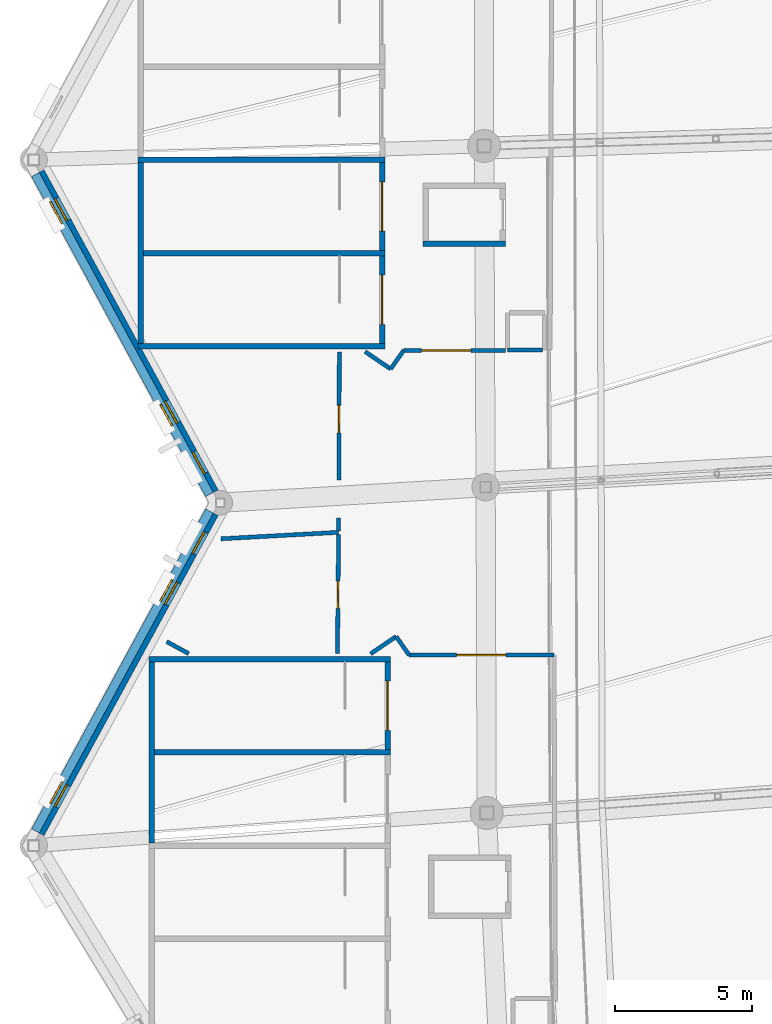
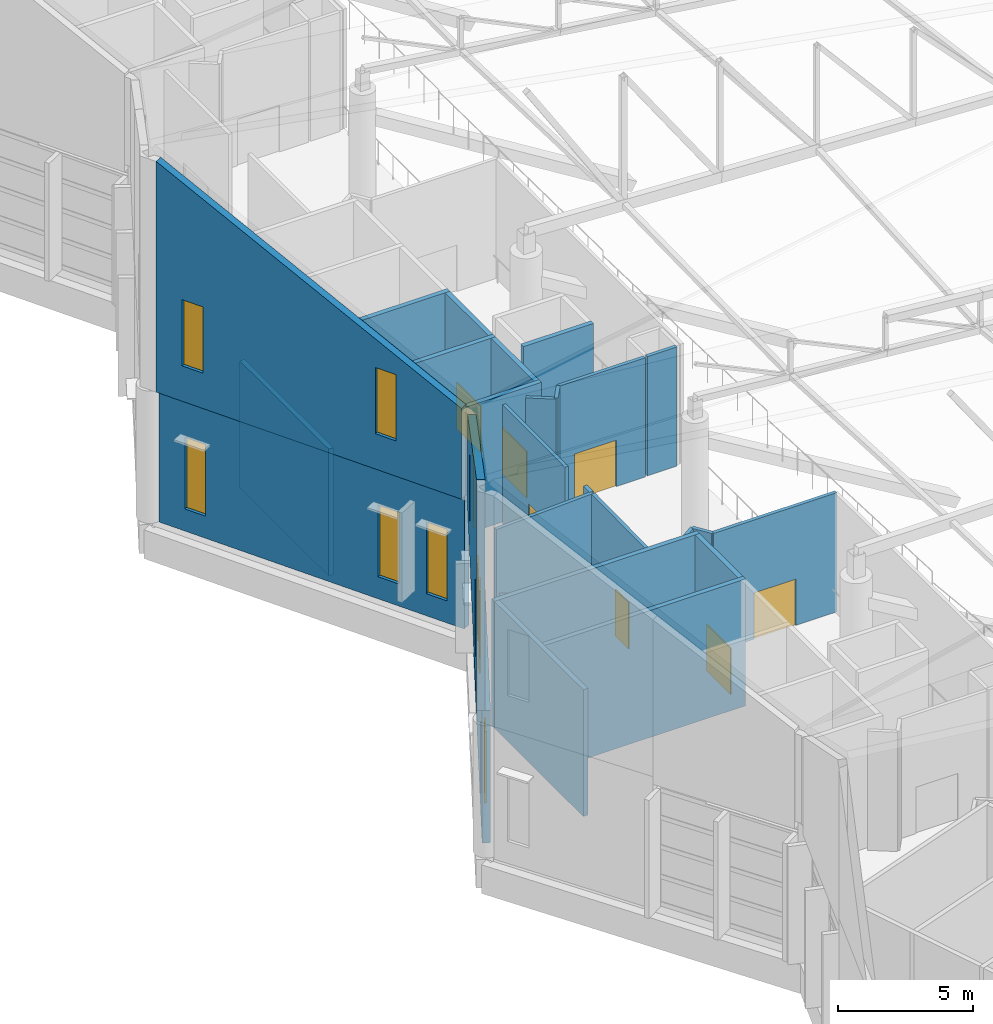
# One storey, part 250 of 344: 27 walls, 10 windows, 7 doors, 17 openings.
"""IFC4 building model written with IfcOpenShell, lengths in metres."""

from ifc_helpers import new_model, si_unit, direction, frame, frame_2d, origin, place, context, subcontext, project, spatial, polyline, rectangle, outline, extrude, material, layer, layer_set, type_object, element, fill, save


model = new_model("IFC4")

# Units and contexts
model_context = context("Model", 3, precision=1e-05, world=origin(), true_north=direction((0.0, 1.0)))
body_context = subcontext(model_context, "Body", "Model", "MODEL_VIEW")
ifc_project = project(units=[si_unit("LENGTHUNIT", "METRE"), si_unit("AREAUNIT", "SQUARE_METRE"), si_unit("VOLUMEUNIT", "CUBIC_METRE"), si_unit("PLANEANGLEUNIT", "RADIAN"), si_unit("MASSUNIT", "GRAM", prefix="KILO")], contexts=[model_context])

# Site, building, storey
site_placement = place(None, origin())
site = spatial("IfcSite", under=ifc_project, at=site_placement, CompositionType="ELEMENT")
building_placement = place(site_placement, origin())
building = spatial("IfcBuilding", under=site, at=building_placement, Name="Meseta Stadium", CompositionType="ELEMENT")
storey_placement = place(building_placement, frame((0.0, 0.0, 24.0)))
storey = spatial("IfcBuildingStorey", under=building, at=storey_placement, Name="L04", CompositionType="ELEMENT", Elevation=24.0)

# Walls
ifc_material_1 = material(Name="Concrete C40/50", Category="concrete")
ifc_layer_1 = layer(ifc_material_1, 0.199951171875)
ifc_layer_set_1 = layer_set([ifc_layer_1], Name="Core divider wall 200")
wall_type_1 = type_object("IfcWallType", Name="Core divider wall 200", PredefinedType="SHEAR", material=ifc_layer_set_1)
wall_1_placement = place(storey_placement, frame((-97.60009765625, -22.14990234375, 0.0), z_axis=(0.0, 0.0, 1.0), x_axis=(1.0, 0.0, 0.0)))
element("IfcWall", 1, at=wall_1_placement, inside=storey, type_object=wall_type_1, Name="Core 18 L04 stair B divider wall", PredefinedType="SHEAR", context=body_context, shape_type="SweptSolid", body=[
    extrude(rectangle(XDim=9.0, YDim=0.199951171875, at=frame_2d((4.5, 0.0))), origin(), (0.0, 0.0, 1.0), 5.75),
])
wall_2_placement = place(storey_placement, frame((-97.199951171875, -40.35009765625, 0.0), z_axis=(0.0, 0.0, 1.0), x_axis=(1.0, 0.0, 0.0)))
element("IfcWall", 2, at=wall_2_placement, inside=storey, type_object=wall_type_1, Name="Core 19 L04 stair A divider wall", PredefinedType="SHEAR", context=body_context, shape_type="SweptSolid", body=[
    extrude(rectangle(XDim=8.800048828125, YDim=0.199951171875, at=frame_2d((4.39990234375, 0.0))), origin(), (0.0, 0.0, 1.0), 5.75),
])
ifc_material_2 = material(Name="Concrete C40/50", Category="concrete")
ifc_layer_2 = layer(ifc_material_2, 0.199951171875)
ifc_layer_set_2 = layer_set([ifc_layer_2], Name="Core shaft wall 200")
wall_type_2 = type_object("IfcWallType", Name="Core shaft wall 200", PredefinedType="SHEAR", material=ifc_layer_set_2)
for number, where, z_axis, x_axis, name in (
    (3, (-97.60009765625, -18.75, 0.0), (0.0, 0.0, 1.0), (1.0, 0.0, 0.0), "Core 18 L04 stair wall shared"),
    (4, (-97.60009765625, -25.550048828125, 0.0), (0.0, 0.0, 1.0), (1.0, 0.0, 0.0), "Core 18 L04 stair wall B-side"),
):
    element("IfcWall", number, at=place(storey_placement, frame(where, z_axis=z_axis, x_axis=x_axis)), inside=storey, type_object=wall_type_2, Name=name, PredefinedType="SHEAR", context=body_context, shape_type="SweptSolid", body=[
        extrude(rectangle(XDim=9.0, YDim=0.199951171875, at=frame_2d((4.5, 0.0))), origin(), (0.0, 0.0, 1.0), 5.75),
    ])
wall_3_placement = place(storey_placement, frame((-97.5, -18.85009765625, 0.0), z_axis=(0.0, 0.0, 1.0), x_axis=(0.0, -1.0, 0.0)))
element("IfcWall", 5, at=wall_3_placement, inside=storey, type_object=wall_type_2, Name="Core 18 L04 stair B outer end wall", PredefinedType="SHEAR", context=body_context, shape_type="SweptSolid", body=[
    extrude(rectangle(XDim=6.599853515625, YDim=0.199951171875, at=frame_2d((3.2998046875, 0.0))), origin(), (0.0, 0.0, 1.0), 5.75),
])

# Wall, opening, door
wall_4_placement = place(storey_placement, frame((-88.699951171875, -18.85009765625, 0.0), z_axis=(0.0, 0.0, 1.0), x_axis=(0.0, -1.0, 0.0)))
wall_4 = element("IfcWall", 6, at=wall_4_placement, inside=storey, type_object=wall_type_2, Name="Core 18 L04 stair B1 inner end wall", PredefinedType="SHEAR", context=body_context, shape_type="SweptSolid", body=[
    extrude(rectangle(XDim=3.199951171875, YDim=0.199951171875, at=frame_2d((1.60009765625, 0.0))), origin(), (0.0, 0.0, 1.0), 5.75),
])
opening_1_placement = place(wall_4_placement, frame((0.699951171875, 0.0, 0.0)))
opening_1 = element("IfcOpeningElement", 7, at=opening_1_placement, cuts=wall_4, Name="Opening D1503", PredefinedType="OPENING", context=body_context, shape_type="SweptSolid", body=[
    extrude(rectangle(XDim=1.800048828125, YDim=2.10009765625, at=frame_2d((0.89990234375, 1.050048828125))), frame((0.0, 0.10986328125, 0.0), z_axis=(0.0, -1.0, 0.0), x_axis=(1.0, 0.0, 0.0)), (0.0, 0.0, 1.0), 0.219970703125),
])
ifc_material_3 = material(Name="Steel", Category="steel")
door_type_1 = type_object("IfcDoorType", Name="Stair door 1800x2100", OperationType="DOUBLE_DOOR_SINGLE_SWING", PredefinedType="DOOR", material=ifc_material_3)
door_1_placement = place(opening_1_placement, origin())
door_1 = element("IfcDoor", 8, at=door_1_placement, inside=storey, type_object=door_type_1, Name="Stair B1 door 18 L04", OperationType="DOUBLE_DOOR_SINGLE_SWING", OverallHeight=2.10009765625, OverallWidth=1.800048828125, PredefinedType="DOOR", context=body_context, shape_type="SweptSolid", body=[
    extrude(rectangle(XDim=1.800048828125, YDim=2.10009765625, at=frame_2d((0.89990234375, 1.050048828125))), frame((0.0, 0.02490234375, 0.0), z_axis=(0.0, -1.0, 0.0), x_axis=(1.0, 0.0, 0.0)), (0.0, 0.0, 1.0), 0.050048828125),
])
fill(opening_1, door_1)

wall_5_placement = place(storey_placement, frame((-88.699951171875, -22.25, 0.0), z_axis=(0.0, 0.0, 1.0), x_axis=(0.0, -1.0, 0.0)))
wall_5 = element("IfcWall", 9, at=wall_5_placement, inside=storey, type_object=wall_type_2, Name="Core 18 L04 stair B2 inner end wall", PredefinedType="SHEAR", context=body_context, shape_type="SweptSolid", body=[
    extrude(rectangle(XDim=3.199951171875, YDim=0.199951171875, at=frame_2d((1.60009765625, 0.0))), origin(), (0.0, 0.0, 1.0), 5.75),
])
opening_2_placement = place(wall_5_placement, frame((0.699951171875, 0.0, 0.0)))
opening_2 = element("IfcOpeningElement", 10, at=opening_2_placement, cuts=wall_5, Name="Opening D1502", PredefinedType="OPENING", context=body_context, shape_type="SweptSolid", body=[
    extrude(rectangle(XDim=1.800048828125, YDim=2.10009765625, at=frame_2d((0.89990234375, 1.050048828125))), frame((0.0, 0.10986328125, 0.0), z_axis=(0.0, -1.0, 0.0), x_axis=(1.0, 0.0, 0.0)), (0.0, 0.0, 1.0), 0.219970703125),
])
door_2_placement = place(opening_2_placement, origin())
door_2 = element("IfcDoor", 11, at=door_2_placement, inside=storey, type_object=door_type_1, Name="Stair B2 door 18 L04", OperationType="DOUBLE_DOOR_SINGLE_SWING", OverallHeight=2.10009765625, OverallWidth=1.800048828125, PredefinedType="DOOR", context=body_context, shape_type="SweptSolid", body=[
    extrude(rectangle(XDim=1.800048828125, YDim=2.10009765625, at=frame_2d((0.89990234375, 1.050048828125))), frame((0.0, 0.02490234375, 0.0), z_axis=(0.0, -1.0, 0.0), x_axis=(1.0, 0.0, 0.0)), (0.0, 0.0, 1.0), 0.050048828125),
])
fill(opening_2, door_2)

# Walls
wall_6_placement = place(storey_placement, frame((-87.199951171875, -21.800048828125, 0.0), z_axis=(0.0, 0.0, 1.0), x_axis=(1.0, 0.0, 0.0)))
element("IfcWall", 12, at=wall_6_placement, inside=storey, type_object=wall_type_2, Name="Core 18 L04 lift shaft wall right", PredefinedType="SHEAR", context=body_context, shape_type="SweptSolid", body=[
    extrude(rectangle(XDim=3.0, YDim=0.199951171875, at=frame_2d((1.5, 0.0))), origin(), (0.0, 0.0, 1.0), 4.60009765625),
])
wall_7_placement = place(storey_placement, frame((-97.199951171875, -36.949951171875, 0.0), z_axis=(0.0, 0.0, 1.0), x_axis=(1.0, 0.0, 0.0)))
element("IfcWall", 13, at=wall_7_placement, inside=storey, type_object=wall_type_2, Name="Core 19 L04 stair wall A-side", PredefinedType="SHEAR", context=body_context, shape_type="SweptSolid", body=[
    extrude(rectangle(XDim=8.800048828125, YDim=0.199951171875, at=frame_2d((4.39990234375, 0.0))), origin(), (0.0, 0.0, 1.0), 5.75),
])
wall_8_placement = place(storey_placement, frame((-97.10009765625, -37.050048828125, 0.0), z_axis=(0.0, 0.0, 1.0), x_axis=(0.0, -1.0, 0.0)))
element("IfcWall", 14, at=wall_8_placement, inside=storey, type_object=wall_type_2, Name="Core 19 L04 stair A outer end wall", PredefinedType="SHEAR", context=body_context, shape_type="SweptSolid", body=[
    extrude(rectangle(XDim=6.599853515625, YDim=0.199951171875, at=frame_2d((3.2998046875, 0.0))), origin(), (0.0, 0.0, 1.0), 5.75),
])

# Wall, opening, door
wall_9_placement = place(storey_placement, frame((-88.5, -37.050048828125, 0.0), z_axis=(0.0, 0.0, 1.0), x_axis=(0.0, -1.0, 0.0)))
wall_9 = element("IfcWall", 15, at=wall_9_placement, inside=storey, type_object=wall_type_2, Name="Core 19 L04 stair A1 inner end wall", PredefinedType="SHEAR", context=body_context, shape_type="SweptSolid", body=[
    extrude(rectangle(XDim=3.199951171875, YDim=0.199951171875, at=frame_2d((1.60009765625, 0.0))), origin(), (0.0, 0.0, 1.0), 5.75),
])
opening_3_placement = place(wall_9_placement, frame((0.699951171875, 0.0, 0.0)))
opening_3 = element("IfcOpeningElement", 16, at=opening_3_placement, cuts=wall_9, Name="Opening D1517", PredefinedType="OPENING", context=body_context, shape_type="SweptSolid", body=[
    extrude(rectangle(XDim=1.800048828125, YDim=2.10009765625, at=frame_2d((0.89990234375, 1.050048828125))), frame((0.0, 0.10986328125, 0.0), z_axis=(0.0, -1.0, 0.0), x_axis=(1.0, 0.0, 0.0)), (0.0, 0.0, 1.0), 0.219970703125),
])
door_3_placement = place(opening_3_placement, origin())
door_3 = element("IfcDoor", 17, at=door_3_placement, inside=storey, type_object=door_type_1, Name="Stair A1 door 19 L04", OperationType="DOUBLE_DOOR_SINGLE_SWING", OverallHeight=2.10009765625, OverallWidth=1.800048828125, PredefinedType="DOOR", context=body_context, shape_type="SweptSolid", body=[
    extrude(rectangle(XDim=1.800048828125, YDim=2.10009765625, at=frame_2d((0.89990234375, 1.050048828125))), frame((0.0, 0.02490234375, 0.0), z_axis=(0.0, -1.0, 0.0), x_axis=(1.0, 0.0, 0.0)), (0.0, 0.0, 1.0), 0.050048828125),
])
fill(opening_3, door_3)

# Walls
ifc_material_4 = material(Name="Masonry blockwork", Category="masonry")
ifc_layer_3 = layer(ifc_material_4, 0.14990234375)
ifc_layer_set_3 = layer_set([ifc_layer_3], Name="Partition 150")
wall_type_3 = type_object("IfcWallType", Name="Partition 150", PredefinedType="PARTITIONING", material=ifc_layer_set_3)
wall_10_placement = place(storey_placement, frame((-95.7490234375, -36.75, 0.0), z_axis=(0.0, 0.0, 1.0), x_axis=(-0.878487841863, 0.477764703279, 0.0)))
element("IfcWall", 18, at=wall_10_placement, inside=storey, type_object=wall_type_3, Name="Partition L04 L04-cell17-1-0a", PredefinedType="PARTITIONING", context=body_context, shape_type="SweptSolid", body=[
    extrude(rectangle(XDim=0.91259765625, YDim=0.14990234375, at=frame_2d((0.456298828125, 0.0))), origin(), (0.0, 0.0, 1.0), 5.39990234375),
])
wall_11_placement = place(storey_placement, frame((-94.568359375, -32.564208984375, 0.0), z_axis=(0.0, 0.0, 1.0), x_axis=(0.998498275679, 0.054783149469, 0.0)))
element("IfcWall", 19, at=wall_11_placement, inside=storey, type_object=wall_type_3, Name="Partition L04 L04-cell17-1-0a", PredefinedType="PARTITIONING", context=body_context, shape_type="SweptSolid", body=[
    extrude(rectangle(XDim=4.29150390625, YDim=0.14990234375, at=frame_2d((2.145751953125, 0.0))), origin(), (0.0, 0.0, 1.0), 5.39990234375),
])

# Wall, opening, door
wall_12_placement = place(storey_placement, frame((-90.283935546875, -32.404296875, 0.0), z_axis=(0.0, 0.0, 1.0), x_axis=(-0.009662470257, -0.999953317245, 0.0)))
wall_12 = element("IfcWall", 20, at=wall_12_placement, inside=storey, type_object=wall_type_3, Name="Partition L04 L04-cell17-1-0a", PredefinedType="PARTITIONING", context=body_context, shape_type="SweptSolid", body=[
    extrude(rectangle(XDim=4.345947265625, YDim=0.14990234375, at=frame_2d((2.1728515625, 0.0))), origin(), (0.0, 0.0, 1.0), 5.39990234375),
])
opening_4_placement = place(wall_12_placement, frame((1.699951171875, 0.0, 0.0)))
opening_4 = element("IfcOpeningElement", 21, at=opening_4_placement, cuts=wall_12, Name="Opening D1500", PredefinedType="OPENING", context=body_context, shape_type="SweptSolid", body=[
    extrude(rectangle(XDim=1.0, YDim=2.10009765625, at=frame_2d((0.5, 1.050048828125))), frame((0.0, 0.0849609375, 0.0), z_axis=(0.0, -1.0, 0.0), x_axis=(1.0, 0.0, 0.0)), (0.0, 0.0, 1.0), 0.169921875),
])
ifc_material_5 = material(Name="Timber", Category="wood")
door_type_2 = type_object("IfcDoorType", Name="Room door 1000x2100", OperationType="NOTDEFINED", PredefinedType="DOOR", material=ifc_material_5)
door_4_placement = place(opening_4_placement, origin())
door_4 = element("IfcDoor", 22, at=door_4_placement, inside=storey, type_object=door_type_2, Name="Room door L04 L04-cell17-1-0a", OperationType="SINGLE_SWING_RIGHT", OverallHeight=2.10009765625, OverallWidth=1.0, PredefinedType="DOOR", context=body_context, shape_type="SweptSolid", body=[
    extrude(rectangle(XDim=1.0, YDim=2.10009765625, at=frame_2d((0.5, 1.050048828125))), frame((0.0, 0.02490234375, 0.0), z_axis=(0.0, -1.0, 0.0), x_axis=(1.0, 0.0, 0.0)), (0.0, 0.0, 1.0), 0.050048828125),
])
fill(opening_4, door_4)

wall_13_placement = place(storey_placement, frame((-90.25634765625, -25.75, 0.0), z_axis=(0.0, 0.0, 1.0), x_axis=(-0.004030747762, -0.999991876503, 0.0)))
wall_13 = element("IfcWall", 23, at=wall_13_placement, inside=storey, type_object=wall_type_3, Name="Partition L04 L04-cell17-1-0w", PredefinedType="PARTITIONING", context=body_context, shape_type="SweptSolid", body=[
    extrude(rectangle(XDim=4.663818359375, YDim=0.14990234375, at=frame_2d((2.33203125, 0.0))), origin(), (0.0, 0.0, 1.0), 5.39990234375),
])
opening_5_placement = place(wall_13_placement, frame((1.949951171875, 0.0, 0.0)))
opening_5 = element("IfcOpeningElement", 24, at=opening_5_placement, cuts=wall_13, Name="Opening D1501", PredefinedType="OPENING", context=body_context, shape_type="SweptSolid", body=[
    extrude(rectangle(XDim=1.0, YDim=2.10009765625, at=frame_2d((0.5, 1.050048828125))), frame((0.0, 0.0849609375, 0.0), z_axis=(0.0, -1.0, 0.0), x_axis=(1.0, 0.0, 0.0)), (0.0, 0.0, 1.0), 0.169921875),
])
door_5_placement = place(opening_5_placement, origin())
door_5 = element("IfcDoor", 25, at=door_5_placement, inside=storey, type_object=door_type_2, Name="Room door L04 L04-cell17-1-0w", OperationType="SINGLE_SWING_RIGHT", OverallHeight=2.10009765625, OverallWidth=1.0, PredefinedType="DOOR", context=body_context, shape_type="SweptSolid", body=[
    extrude(rectangle(XDim=1.0, YDim=2.10009765625, at=frame_2d((0.5, 1.050048828125))), frame((0.0, 0.02490234375, 0.0), z_axis=(0.0, -1.0, 0.0), x_axis=(1.0, 0.0, 0.0)), (0.0, 0.0, 1.0), 0.050048828125),
])
fill(opening_5, door_5)

# Walls
wall_14_placement = place(storey_placement, frame((-90.28076171875, -31.81298828125, 0.0), z_axis=(0.0, 0.0, 1.0), x_axis=(-0.004188444936, -0.999991228426, 0.0)))
element("IfcWall", 26, at=wall_14_placement, inside=storey, type_object=wall_type_3, Name="Partition L04 L04-cell17-1-0w", PredefinedType="PARTITIONING", context=body_context, shape_type="SweptSolid", body=[
    extrude(rectangle(XDim=0.46630859375, YDim=0.14990234375, at=frame_2d((0.233154296875, 0.0))), origin(), (0.0, 0.0, 1.0), 5.39990234375),
])
wall_15_placement = place(storey_placement, frame((-84.125, -25.675048828125, 0.0), z_axis=(0.0, 0.0, 1.0), x_axis=(1.0, 0.0, 0.0)))
element("IfcWall", 27, at=wall_15_placement, inside=storey, type_object=wall_type_3, Name="Pressurisation shaft wall L04 core 18", PredefinedType="PARTITIONING", context=body_context, shape_type="SweptSolid", body=[
    extrude(rectangle(XDim=1.27490234375, YDim=0.14990234375, at=frame_2d((0.637451171875, 0.0))), origin(), (0.0, 0.0, 1.0), 5.39990234375),
])
wall_16_placement = place(storey_placement, frame((-89.319580078125, -25.739501953125, 0.0), z_axis=(0.0, 0.0, 1.0), x_axis=(0.827055308354, -0.562120553728, 0.0)))
element("IfcWall", 28, at=wall_16_placement, inside=storey, type_object=wall_type_3, Name="Stair vestibule wall L04 core 18", PredefinedType="PARTITIONING", context=body_context, shape_type="SweptSolid", body=[
    extrude(rectangle(XDim=1.1279296875, YDim=0.14990234375, at=frame_2d((0.56396484375, 0.0))), origin(), (0.0, 0.0, 1.0), 5.39990234375),
])
wall_17_placement = place(storey_placement, frame((-88.38671875, -26.37353515625, 0.0), z_axis=(0.0, 0.0, 1.0), x_axis=(0.575376756214, 0.817888493872, 0.0)))
element("IfcWall", 29, at=wall_17_placement, inside=storey, type_object=wall_type_3, Name="Stair vestibule wall L04 core 18", PredefinedType="PARTITIONING", context=body_context, shape_type="SweptSolid", body=[
    extrude(rectangle(XDim=0.82958984375, YDim=0.14990234375, at=frame_2d((0.414794921875, 0.0))), origin(), (0.0, 0.0, 1.0), 5.39990234375),
])

# Wall, opening, door
wall_18_placement = place(storey_placement, frame((-87.909423828125, -25.695068359375, 0.0), z_axis=(0.0, 0.0, 1.0), x_axis=(1.0, 0.0, 0.0)))
wall_18 = element("IfcWall", 30, at=wall_18_placement, inside=storey, type_object=wall_type_3, Name="Stair vestibule wall L04 core 18", PredefinedType="PARTITIONING", context=body_context, shape_type="SweptSolid", body=[
    extrude(rectangle(XDim=3.70361328125, YDim=0.14990234375, at=frame_2d((1.851806640625, 0.0))), origin(), (0.0, 0.0, 1.0), 5.39990234375),
])
opening_6_placement = place(wall_18_placement, frame((0.64990234375, 0.0, 0.0)))
opening_6 = element("IfcOpeningElement", 31, at=opening_6_placement, cuts=wall_18, Name="Opening D1524", PredefinedType="OPENING", context=body_context, shape_type="SweptSolid", body=[
    extrude(rectangle(XDim=1.800048828125, YDim=2.10009765625, at=frame_2d((0.89990234375, 1.050048828125))), frame((0.0, 0.0849609375, 0.0), z_axis=(0.0, -1.0, 0.0), x_axis=(1.0, 0.0, 0.0)), (0.0, 0.0, 1.0), 0.169921875),
])
ifc_material_6 = material(Name="Steel", Category="steel")
door_type_3 = type_object("IfcDoorType", Name="Fire double door 1800x2100 EI2 60", OperationType="DOUBLE_DOOR_SINGLE_SWING", PredefinedType="DOOR", material=ifc_material_6)
door_6_placement = place(opening_6_placement, origin())
door_6 = element("IfcDoor", 32, at=door_6_placement, inside=storey, type_object=door_type_3, Name="Stair vestibule door L04 core 18", OperationType="DOUBLE_DOOR_SINGLE_SWING", OverallHeight=2.10009765625, OverallWidth=1.800048828125, PredefinedType="DOOR", context=body_context, shape_type="SweptSolid", body=[
    extrude(rectangle(XDim=1.800048828125, YDim=2.10009765625, at=frame_2d((0.89990234375, 1.050048828125))), frame((0.0, 0.02490234375, 0.0), z_axis=(0.0, -1.0, 0.0), x_axis=(1.0, 0.0, 0.0)), (0.0, 0.0, 1.0), 0.050048828125),
])
fill(opening_6, door_6)

wall_19_placement = place(storey_placement, frame((-82.43359375, -36.804931640625, 0.0), z_axis=(0.0, 0.0, 1.0), x_axis=(-1.0, 0.0, 0.0)))
wall_19 = element("IfcWall", 33, at=wall_19_placement, inside=storey, type_object=wall_type_3, Name="Stair vestibule wall L04 core 19", PredefinedType="PARTITIONING", context=body_context, shape_type="SweptSolid", body=[
    extrude(rectangle(XDim=5.275634765625, YDim=0.14990234375, at=frame_2d((2.6376953125, 0.0))), origin(), (0.0, 0.0, 1.0), 5.39990234375),
])
opening_7_placement = place(wall_19_placement, frame((1.75, 0.0, 0.0)))
opening_7 = element("IfcOpeningElement", 34, at=opening_7_placement, cuts=wall_19, Name="Opening D1534", PredefinedType="OPENING", context=body_context, shape_type="SweptSolid", body=[
    extrude(rectangle(XDim=1.800048828125, YDim=2.10009765625, at=frame_2d((0.89990234375, 1.050048828125))), frame((0.0, 0.0849609375, 0.0), z_axis=(0.0, -1.0, 0.0), x_axis=(1.0, 0.0, 0.0)), (0.0, 0.0, 1.0), 0.169921875),
])
door_7_placement = place(opening_7_placement, origin())
door_7 = element("IfcDoor", 35, at=door_7_placement, inside=storey, type_object=door_type_3, Name="Stair vestibule door L04 core 19", OperationType="DOUBLE_DOOR_SINGLE_SWING", OverallHeight=2.10009765625, OverallWidth=1.800048828125, PredefinedType="DOOR", context=body_context, shape_type="SweptSolid", body=[
    extrude(rectangle(XDim=1.800048828125, YDim=2.10009765625, at=frame_2d((0.89990234375, 1.050048828125))), frame((0.0, 0.02490234375, 0.0), z_axis=(0.0, -1.0, 0.0), x_axis=(1.0, 0.0, 0.0)), (0.0, 0.0, 1.0), 0.050048828125),
])
fill(opening_7, door_7)

# Walls
wall_20_placement = place(storey_placement, frame((-87.709228515625, -36.804931640625, 0.0), z_axis=(0.0, 0.0, 1.0), x_axis=(-0.575573582652, 0.81774999294, 0.0)))
element("IfcWall", 36, at=wall_20_placement, inside=storey, type_object=wall_type_3, Name="Stair vestibule wall L04 core 19", PredefinedType="PARTITIONING", context=body_context, shape_type="SweptSolid", body=[
    extrude(rectangle(XDim=0.82958984375, YDim=0.14990234375, at=frame_2d((0.414794921875, 0.0))), origin(), (0.0, 0.0, 1.0), 5.39990234375),
])
wall_21_placement = place(storey_placement, frame((-88.186767578125, -36.12646484375, 0.0), z_axis=(0.0, 0.0, 1.0), x_axis=(-0.827055308354, -0.562120553728, 0.0)))
element("IfcWall", 37, at=wall_21_placement, inside=storey, type_object=wall_type_3, Name="Stair vestibule wall L04 core 19", PredefinedType="PARTITIONING", context=body_context, shape_type="SweptSolid", body=[
    extrude(rectangle(XDim=1.1279296875, YDim=0.14990234375, at=frame_2d((0.56396484375, 0.0))), origin(), (0.0, 0.0, 1.0), 5.39990234375),
])

# Wall, openings, windows
ifc_material_7 = material(Name="White precast concrete C40/50", Category="concrete")
ifc_layer_4 = layer(ifc_material_7, 0.320068359375)
ifc_layer_set_4 = layer_set([ifc_layer_4], Name="Pleated fascia panel 320 raked")
wall_type_4 = type_object("IfcWallType", Name="Pleated fascia panel 320 raked", PredefinedType="SOLIDWALL", material=ifc_layer_set_4)
wall_22_placement = place(storey_placement, frame((-94.99072265625, -30.950439453125, 6.0), z_axis=(0.0, 0.0, 1.0), x_axis=(-0.477867771117, 0.878431780691, 0.0)))
wall_22 = element("IfcWall", 38, at=wall_22_placement, inside=storey, type_object=wall_type_4, Name="Pleated fascia panel L04 F34", PredefinedType="SOLIDWALL", context=body_context, shape_type="SweptSolid", body=[
    extrude(outline(polyline([(0.0, 0.0), (13.2802734375, 0.0), (13.2802734375, 10.451171875), (0.0, 4.10498046875), (0.0, 0.0)])), frame((0.0, 0.16015625, 0.0), z_axis=(0.0, -1.0, 0.0), x_axis=(1.0, 0.0, 0.0)), (0.0, 0.0, 1.0), 0.320068359375),
])
opening_8_placement = place(wall_22_placement, frame((2.85009765625, 0.0, 1.60009765625)))
opening_8 = element("IfcOpeningElement", 39, at=opening_8_placement, cuts=wall_22, Name="Opening W201", PredefinedType="OPENING", context=body_context, shape_type="SweptSolid", body=[
    extrude(rectangle(XDim=0.89990234375, YDim=3.0, at=frame_2d((0.449951171875, 1.5))), frame((0.0, 0.169921875, 0.0), z_axis=(0.0, -1.0, 0.0), x_axis=(1.0, 0.0, 0.0)), (0.0, 0.0, 1.0), 0.340087890625),
])
opening_9_placement = place(wall_22_placement, frame((11.250244140625, 0.0, 1.60009765625)))
opening_9 = element("IfcOpeningElement", 40, at=opening_9_placement, cuts=wall_22, Name="Opening W181", PredefinedType="OPENING", context=body_context, shape_type="SweptSolid", body=[
    extrude(rectangle(XDim=0.89990234375, YDim=3.0, at=frame_2d((0.449951171875, 1.5))), frame((0.0, 0.169921875, 0.0), z_axis=(0.0, -1.0, 0.0), x_axis=(1.0, 0.0, 0.0)), (0.0, 0.0, 1.0), 0.340087890625),
])
ifc_material_8 = material(Name="Aluminium", Category="aluminium")
window_type_1 = type_object("IfcWindowType", Name="Slot window 900x3000", PartitioningType="SINGLE_PANEL", PredefinedType="WINDOW", material=ifc_material_8)
window_1_placement = place(opening_8_placement, origin())
window_1 = element("IfcWindow", 41, at=window_1_placement, inside=storey, type_object=window_type_1, Name="Slot window L04 F34.2", OverallHeight=3.0, OverallWidth=0.89990234375, PartitioningType="SINGLE_PANEL", PredefinedType="WINDOW", context=body_context, shape_type="SweptSolid", body=[
    extrude(rectangle(XDim=0.89990234375, YDim=3.0, at=frame_2d((0.449951171875, 1.5))), frame((0.0, 0.030029296875, 0.0), z_axis=(0.0, -1.0, 0.0), x_axis=(1.0, 0.0, 0.0)), (0.0, 0.0, 1.0), 0.06005859375),
])
fill(opening_8, window_1)
window_2_placement = place(opening_9_placement, origin())
window_2 = element("IfcWindow", 42, at=window_2_placement, inside=storey, type_object=window_type_1, Name="Slot window L04 F34.6", OverallHeight=3.0, OverallWidth=0.89990234375, PartitioningType="SINGLE_PANEL", PredefinedType="WINDOW", context=body_context, shape_type="SweptSolid", body=[
    extrude(rectangle(XDim=0.89990234375, YDim=3.0, at=frame_2d((0.449951171875, 1.5))), frame((0.0, 0.030029296875, 0.0), z_axis=(0.0, -1.0, 0.0), x_axis=(1.0, 0.0, 0.0)), (0.0, 0.0, 1.0), 0.06005859375),
])
fill(opening_9, window_2)

wall_23_placement = place(storey_placement, frame((-101.3369140625, -43.21533203125, 6.0), z_axis=(0.0, 0.0, 1.0), x_axis=(0.477867771117, 0.878431780691, 0.0)))
wall_23 = element("IfcWall", 43, at=wall_23_placement, inside=storey, type_object=wall_type_4, Name="Pleated fascia panel L04 F35", PredefinedType="SOLIDWALL", context=body_context, shape_type="SweptSolid", body=[
    extrude(outline(polyline([(0.0, 0.0), (13.2802734375, 0.0), (13.2802734375, 4.10498046875), (0.0, 10.451171875), (0.0, 0.0)])), frame((0.0, 0.16015625, 0.0), z_axis=(0.0, -1.0, 0.0), x_axis=(1.0, 0.0, 0.0)), (0.0, 0.0, 1.0), 0.320068359375),
])
opening_10_placement = place(wall_23_placement, frame((9.530029296875, 0.0, 1.60009765625)))
opening_10 = element("IfcOpeningElement", 44, at=opening_10_placement, cuts=wall_23, Name="Opening W200", PredefinedType="OPENING", context=body_context, shape_type="SweptSolid", body=[
    extrude(rectangle(XDim=0.89990234375, YDim=3.0, at=frame_2d((0.449951171875, 1.5))), frame((0.0, 0.169921875, 0.0), z_axis=(0.0, -1.0, 0.0), x_axis=(1.0, 0.0, 0.0)), (0.0, 0.0, 1.0), 0.340087890625),
])
opening_11_placement = place(wall_23_placement, frame((1.130126953125, 0.0, 1.60009765625)))
opening_11 = element("IfcOpeningElement", 45, at=opening_11_placement, cuts=wall_23, Name="Opening W180", PredefinedType="OPENING", context=body_context, shape_type="SweptSolid", body=[
    extrude(rectangle(XDim=0.89990234375, YDim=3.0, at=frame_2d((0.449951171875, 1.5))), frame((0.0, 0.169921875, 0.0), z_axis=(0.0, -1.0, 0.0), x_axis=(1.0, 0.0, 0.0)), (0.0, 0.0, 1.0), 0.340087890625),
])
window_3_placement = place(opening_10_placement, origin())
window_3 = element("IfcWindow", 46, at=window_3_placement, inside=storey, type_object=window_type_1, Name="Slot window L04 F35.2", OverallHeight=3.0, OverallWidth=0.89990234375, PartitioningType="SINGLE_PANEL", PredefinedType="WINDOW", context=body_context, shape_type="SweptSolid", body=[
    extrude(rectangle(XDim=0.89990234375, YDim=3.0, at=frame_2d((0.449951171875, 1.5))), frame((0.0, 0.030029296875, 0.0), z_axis=(0.0, -1.0, 0.0), x_axis=(1.0, 0.0, 0.0)), (0.0, 0.0, 1.0), 0.06005859375),
])
fill(opening_10, window_3)
window_4_placement = place(opening_11_placement, origin())
window_4 = element("IfcWindow", 47, at=window_4_placement, inside=storey, type_object=window_type_1, Name="Slot window L04 F35.6", OverallHeight=3.0, OverallWidth=0.89990234375, PartitioningType="SINGLE_PANEL", PredefinedType="WINDOW", context=body_context, shape_type="SweptSolid", body=[
    extrude(rectangle(XDim=0.89990234375, YDim=3.0, at=frame_2d((0.449951171875, 1.5))), frame((0.0, 0.030029296875, 0.0), z_axis=(0.0, -1.0, 0.0), x_axis=(1.0, 0.0, 0.0)), (0.0, 0.0, 1.0), 0.06005859375),
])
fill(opening_11, window_4)

ifc_material_9 = material(Name="White precast concrete C40/50", Category="concrete")
ifc_layer_5 = layer(ifc_material_9, 0.320068359375)
ifc_layer_set_5 = layer_set([ifc_layer_5], Name="Pleated panel wall 320")
wall_type_5 = type_object("IfcWallType", Name="Pleated panel wall 320", PredefinedType="SOLIDWALL", material=ifc_layer_set_5)
wall_24_placement = place(storey_placement, frame((-94.81494140625, -30.854736328125, 0.0), z_axis=(0.0, 0.0, 1.0), x_axis=(-0.477867771117, 0.878431780691, 0.0)))
wall_24 = element("IfcWall", 48, at=wall_24_placement, inside=storey, type_object=wall_type_5, Name="Pleated facade panel L04 F34", PredefinedType="SOLIDWALL", context=body_context, shape_type="SweptSolid", body=[
    extrude(rectangle(XDim=13.2802734375, YDim=0.320068359375, at=frame_2d((6.64013671875, 0.0))), origin(), (0.0, 0.0, 1.0), 6.0),
])
opening_12_placement = place(wall_24_placement, frame((0.750244140625, 0.0, 1.0)))
opening_12 = element("IfcOpeningElement", 49, at=opening_12_placement, cuts=wall_24, Name="Opening W207", PredefinedType="OPENING", context=body_context, shape_type="SweptSolid", body=[
    extrude(rectangle(XDim=0.89990234375, YDim=3.25, at=frame_2d((0.449951171875, 1.625))), frame((0.0, 0.169921875, 0.0), z_axis=(0.0, -1.0, 0.0), x_axis=(1.0, 0.0, 0.0)), (0.0, 0.0, 1.0), 0.340087890625),
])
opening_13_placement = place(wall_24_placement, frame((2.85009765625, 0.0, 1.0)))
opening_13 = element("IfcOpeningElement", 50, at=opening_13_placement, cuts=wall_24, Name="Opening W204", PredefinedType="OPENING", context=body_context, shape_type="SweptSolid", body=[
    extrude(rectangle(XDim=0.89990234375, YDim=3.25, at=frame_2d((0.449951171875, 1.625))), frame((0.0, 0.169921875, 0.0), z_axis=(0.0, -1.0, 0.0), x_axis=(1.0, 0.0, 0.0)), (0.0, 0.0, 1.0), 0.340087890625),
])
opening_14_placement = place(wall_24_placement, frame((11.250244140625, 0.0, 1.0)))
opening_14 = element("IfcOpeningElement", 51, at=opening_14_placement, cuts=wall_24, Name="Opening W190", PredefinedType="OPENING", context=body_context, shape_type="SweptSolid", body=[
    extrude(rectangle(XDim=0.89990234375, YDim=3.25, at=frame_2d((0.449951171875, 1.625))), frame((0.0, 0.169921875, 0.0), z_axis=(0.0, -1.0, 0.0), x_axis=(1.0, 0.0, 0.0)), (0.0, 0.0, 1.0), 0.340087890625),
])
ifc_material_10 = material(Name="Aluminium", Category="aluminium")
window_type_2 = type_object("IfcWindowType", Name="Slot window 900x3250", PartitioningType="SINGLE_PANEL", PredefinedType="WINDOW", material=ifc_material_10)
window_5_placement = place(opening_12_placement, origin())
window_5 = element("IfcWindow", 52, at=window_5_placement, inside=storey, type_object=window_type_2, Name="Slot window L04 F34.1", OverallHeight=3.25, OverallWidth=0.89990234375, PartitioningType="SINGLE_PANEL", PredefinedType="WINDOW", context=body_context, shape_type="SweptSolid", body=[
    extrude(rectangle(XDim=0.89990234375, YDim=3.25, at=frame_2d((0.449951171875, 1.625))), frame((0.0, 0.030029296875, 0.0), z_axis=(0.0, -1.0, 0.0), x_axis=(1.0, 0.0, 0.0)), (0.0, 0.0, 1.0), 0.06005859375),
])
fill(opening_12, window_5)
window_6_placement = place(opening_13_placement, origin())
window_6 = element("IfcWindow", 53, at=window_6_placement, inside=storey, type_object=window_type_2, Name="Slot window L04 F34.2", OverallHeight=3.25, OverallWidth=0.89990234375, PartitioningType="SINGLE_PANEL", PredefinedType="WINDOW", context=body_context, shape_type="SweptSolid", body=[
    extrude(rectangle(XDim=0.89990234375, YDim=3.25, at=frame_2d((0.449951171875, 1.625))), frame((0.0, 0.030029296875, 0.0), z_axis=(0.0, -1.0, 0.0), x_axis=(1.0, 0.0, 0.0)), (0.0, 0.0, 1.0), 0.06005859375),
])
fill(opening_13, window_6)
window_7_placement = place(opening_14_placement, origin())
window_7 = element("IfcWindow", 54, at=window_7_placement, inside=storey, type_object=window_type_2, Name="Slot window L04 F34.6", OverallHeight=3.25, OverallWidth=0.89990234375, PartitioningType="SINGLE_PANEL", PredefinedType="WINDOW", context=body_context, shape_type="SweptSolid", body=[
    extrude(rectangle(XDim=0.89990234375, YDim=3.25, at=frame_2d((0.449951171875, 1.625))), frame((0.0, 0.030029296875, 0.0), z_axis=(0.0, -1.0, 0.0), x_axis=(1.0, 0.0, 0.0)), (0.0, 0.0, 1.0), 0.06005859375),
])
fill(opening_14, window_7)

wall_25_placement = place(storey_placement, frame((-101.1611328125, -43.31103515625, 0.0), z_axis=(0.0, 0.0, 1.0), x_axis=(0.477867771117, 0.878431780691, 0.0)))
wall_25 = element("IfcWall", 55, at=wall_25_placement, inside=storey, type_object=wall_type_5, Name="Pleated facade panel L04 F35", PredefinedType="SOLIDWALL", context=body_context, shape_type="SweptSolid", body=[
    extrude(rectangle(XDim=13.2802734375, YDim=0.320068359375, at=frame_2d((6.64013671875, 0.0))), origin(), (0.0, 0.0, 1.0), 6.0),
])
opening_15_placement = place(wall_25_placement, frame((11.630126953125, 0.0, 1.0)))
opening_15 = element("IfcOpeningElement", 56, at=opening_15_placement, cuts=wall_25, Name="Opening W206", PredefinedType="OPENING", context=body_context, shape_type="SweptSolid", body=[
    extrude(rectangle(XDim=0.89990234375, YDim=3.25, at=frame_2d((0.449951171875, 1.625))), frame((0.0, 0.169921875, 0.0), z_axis=(0.0, -1.0, 0.0), x_axis=(1.0, 0.0, 0.0)), (0.0, 0.0, 1.0), 0.340087890625),
])
opening_16_placement = place(wall_25_placement, frame((9.530029296875, 0.0, 1.0)))
opening_16 = element("IfcOpeningElement", 57, at=opening_16_placement, cuts=wall_25, Name="Opening W203", PredefinedType="OPENING", context=body_context, shape_type="SweptSolid", body=[
    extrude(rectangle(XDim=0.89990234375, YDim=3.25, at=frame_2d((0.449951171875, 1.625))), frame((0.0, 0.169921875, 0.0), z_axis=(0.0, -1.0, 0.0), x_axis=(1.0, 0.0, 0.0)), (0.0, 0.0, 1.0), 0.340087890625),
])
opening_17_placement = place(wall_25_placement, frame((1.130126953125, 0.0, 1.0)))
opening_17 = element("IfcOpeningElement", 58, at=opening_17_placement, cuts=wall_25, Name="Opening W189", PredefinedType="OPENING", context=body_context, shape_type="SweptSolid", body=[
    extrude(rectangle(XDim=0.89990234375, YDim=3.25, at=frame_2d((0.449951171875, 1.625))), frame((0.0, 0.169921875, 0.0), z_axis=(0.0, -1.0, 0.0), x_axis=(1.0, 0.0, 0.0)), (0.0, 0.0, 1.0), 0.340087890625),
])
window_8_placement = place(opening_15_placement, origin())
window_8 = element("IfcWindow", 59, at=window_8_placement, inside=storey, type_object=window_type_2, Name="Slot window L04 F35.1", OverallHeight=3.25, OverallWidth=0.89990234375, PartitioningType="SINGLE_PANEL", PredefinedType="WINDOW", context=body_context, shape_type="SweptSolid", body=[
    extrude(rectangle(XDim=0.89990234375, YDim=3.25, at=frame_2d((0.449951171875, 1.625))), frame((0.0, 0.030029296875, 0.0), z_axis=(0.0, -1.0, 0.0), x_axis=(1.0, 0.0, 0.0)), (0.0, 0.0, 1.0), 0.06005859375),
])
fill(opening_15, window_8)
window_9_placement = place(opening_16_placement, origin())
window_9 = element("IfcWindow", 60, at=window_9_placement, inside=storey, type_object=window_type_2, Name="Slot window L04 F35.2", OverallHeight=3.25, OverallWidth=0.89990234375, PartitioningType="SINGLE_PANEL", PredefinedType="WINDOW", context=body_context, shape_type="SweptSolid", body=[
    extrude(rectangle(XDim=0.89990234375, YDim=3.25, at=frame_2d((0.449951171875, 1.625))), frame((0.0, 0.030029296875, 0.0), z_axis=(0.0, -1.0, 0.0), x_axis=(1.0, 0.0, 0.0)), (0.0, 0.0, 1.0), 0.06005859375),
])
fill(opening_16, window_9)
window_10_placement = place(opening_17_placement, origin())
window_10 = element("IfcWindow", 61, at=window_10_placement, inside=storey, type_object=window_type_2, Name="Slot window L04 F35.6", OverallHeight=3.25, OverallWidth=0.89990234375, PartitioningType="SINGLE_PANEL", PredefinedType="WINDOW", context=body_context, shape_type="SweptSolid", body=[
    extrude(rectangle(XDim=0.89990234375, YDim=3.25, at=frame_2d((0.449951171875, 1.625))), frame((0.0, 0.030029296875, 0.0), z_axis=(0.0, -1.0, 0.0), x_axis=(1.0, 0.0, 0.0)), (0.0, 0.0, 1.0), 0.06005859375),
])
fill(opening_17, window_10)

save(model, "model.ifc")
